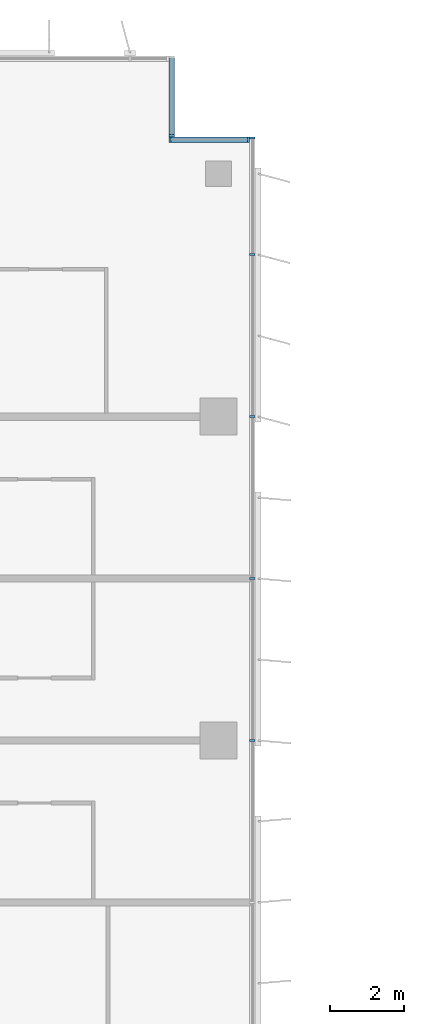
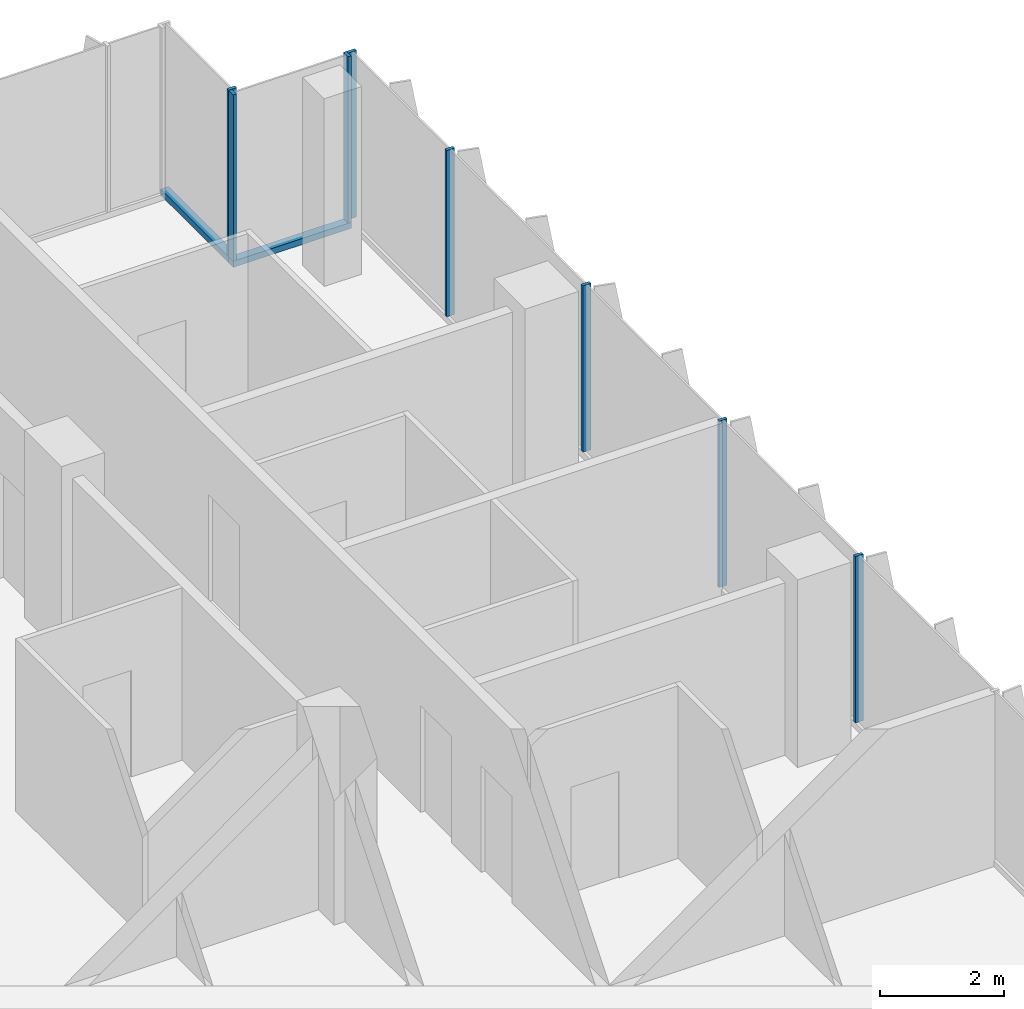
# One storey, part 7 of 21: 10 members, 3 elements without a shape of their own.
"""IFC4 building model written with IfcOpenShell, lengths in metres."""

import ifcopenshell
import ifcopenshell.guid

model = None  # the IFC model being written
_history = None  # IfcOwnerHistory: only IFC2X3 demands one
_inside = {}  # id of a spatial element -> (the spatial element, [elements in it])
_under = {}  # id of a project, library or spatial element -> (it, [spatial elements below it])
_declared = {}  # id of a project -> (the project, [libraries it declares])
_typed = {}  # id of a type object -> (the type object, [elements of that type])
_made_of = {}  # id of a material, layer set ... -> (it, [elements and type objects made of it])


def new_model(schema):
    """Start an empty IFC model of exactly this schema.

    Asked for "IFC4X3", IfcOpenShell would pick the latest addendum, in which some entities
    have other attributes; the version numbers below select the first issue.
    IFC2X3 requires an IfcOwnerHistory on every rooted entity: one is made here for all.
    """
    global model, _history
    if schema == "IFC4X3":
        model = ifcopenshell.file(schema_version=(4, 3, 0, 0))
    else:
        model = ifcopenshell.file(schema=schema)
    _inside.clear()
    _under.clear()
    _declared.clear()
    _typed.clear()
    _made_of.clear()
    _history = None
    if model.schema == "IFC2X3":
        org = make("IfcOrganization", Name="unknown")
        user = make(
            "IfcPersonAndOrganization",
            ThePerson=make("IfcPerson", FamilyName="unknown"),
            TheOrganization=org,
        )
        app = make(
            "IfcApplication",
            ApplicationDeveloper=org,
            Version="unknown",
            ApplicationFullName="unknown",
            ApplicationIdentifier="unknown",
        )
        _history = make(
            "IfcOwnerHistory",
            OwningUser=user,
            OwningApplication=app,
            ChangeAction="ADDED",
            CreationDate=0,
        )
    return model


def make(cls, **values):
    """One entity of the class cls with the attributes given. An attribute that is None is left unset."""
    return model.create_entity(
        cls, **{name: value for name, value in values.items() if value is not None}
    )


def rooted(cls, **values):
    """An entity with a GlobalId (a new one), such as an element, a storey or a relation."""
    return make(cls, GlobalId=ifcopenshell.guid.new(), OwnerHistory=_history, **values)


def si_unit(unit_type, name, prefix=None):
    """IfcSIUnit, for example si_unit("LENGTHUNIT", "METRE", prefix="MILLI")."""
    return make("IfcSIUnit", UnitType=unit_type, Prefix=prefix, Name=name)


def assignment(units):
    """IfcUnitAssignment: the units of a project."""
    return None if units is None else make("IfcUnitAssignment", Units=units)


def point(xyz):
    """IfcCartesianPoint."""
    return None if xyz is None else make("IfcCartesianPoint", Coordinates=xyz)


def direction(xyz):
    """IfcDirection."""
    return None if xyz is None else make("IfcDirection", DirectionRatios=xyz)


def frame(location, z_axis=None, x_axis=None):
    """IfcAxis2Placement3D, a coordinate frame: its origin and axes. An axis left out is left unset."""
    return make(
        "IfcAxis2Placement3D",
        Location=point(location),
        Axis=direction(z_axis),
        RefDirection=direction(x_axis),
    )


def frame_2d(location, x_axis=None):
    """IfcAxis2Placement2D, a coordinate frame in the plane: its origin and x axis."""
    return make(
        "IfcAxis2Placement2D", Location=point(location), RefDirection=direction(x_axis)
    )


def origin():
    """The frame at (0, 0, 0) with its axes left unset."""
    return frame((0.0, 0.0, 0.0))


def origin_2d():
    """The frame at (0, 0) in the plane with its x axis left unset."""
    return frame_2d((0.0, 0.0))


def place(relative_to, where):
    """IfcLocalPlacement: puts the frame where relative to a parent placement (None: the world)."""
    return make(
        "IfcLocalPlacement", PlacementRelTo=relative_to, RelativePlacement=where
    )


def context(
    kind, dimensions, precision=None, world=None, true_north=None, identifier=None
):
    """IfcGeometricRepresentationContext, for example the 3D "Model" context."""
    return make(
        "IfcGeometricRepresentationContext",
        ContextIdentifier=identifier,
        ContextType=kind,
        CoordinateSpaceDimension=dimensions,
        Precision=precision,
        WorldCoordinateSystem=world,
        TrueNorth=true_north,
    )


def subcontext(parent, identifier, kind, view, scale=None):
    """IfcGeometricRepresentationSubContext, for example "Body" below "Model"."""
    return make(
        "IfcGeometricRepresentationSubContext",
        ContextIdentifier=identifier,
        ContextType=kind,
        ParentContext=parent,
        TargetScale=scale,
        TargetView=view,
    )


def project(units=None, contexts=None):
    """IfcProject with its units and contexts."""
    return rooted(
        "IfcProject",
        Name="project",
        RepresentationContexts=contexts,
        UnitsInContext=assignment(units),
    )


def spatial(cls, under=None, at=None, **own):
    """A site, building, storey or space (cls), placed at a placement, below another one or the project."""
    s = rooted(cls, ObjectPlacement=at, **own)
    if under is not None:
        _under.setdefault(under.id(), (under, []))[1].append(s)
    return s


def profile(cls, at=None, kind="AREA", **sizes):
    """A parametric profile (cls). Its sizes go by their IFC names, for example OverallWidth=200.0."""
    return make(cls, ProfileType=kind, Position=at, **sizes)


def rectangle(**sizes):
    """IfcRectangleProfileDef."""
    return profile("IfcRectangleProfileDef", **sizes)


def extrude(swept, where, along, depth):
    """IfcExtrudedAreaSolid: the profile swept, set in the frame where, extruded along a direction by depth."""
    return make(
        "IfcExtrudedAreaSolid",
        SweptArea=swept,
        Position=where,
        ExtrudedDirection=direction(along),
        Depth=depth,
    )


def shape(context_of_items, identifier, shape_type, items):
    """IfcShapeRepresentation: the items that make up one representation, for example the "Body"."""
    return make(
        "IfcShapeRepresentation",
        ContextOfItems=context_of_items,
        RepresentationIdentifier=identifier,
        RepresentationType=shape_type,
        Items=items,
    )


def source(mapping_origin, context_of_items, identifier, shape_type, items):
    """IfcRepresentationMap: a shape defined once, which mapped items show again and again."""
    return make(
        "IfcRepresentationMap",
        MappingOrigin=mapping_origin,
        MappedRepresentation=shape(context_of_items, identifier, shape_type, items),
    )


def transform(
    local_origin,
    x_axis=None,
    y_axis=None,
    z_axis=None,
    scale=None,
    scale2=None,
    scale3=None,
    uniform=True,
):
    """IfcCartesianTransformationOperator3D, or its non-uniform kind. x_axis, y_axis, z_axis: its Axis1, 2, 3."""
    if uniform:
        return make(
            "IfcCartesianTransformationOperator3D",
            Axis1=direction(x_axis),
            Axis2=direction(y_axis),
            LocalOrigin=point(local_origin),
            Scale=scale,
            Axis3=direction(z_axis),
        )
    return make(
        "IfcCartesianTransformationOperator3DnonUniform",
        Axis1=direction(x_axis),
        Axis2=direction(y_axis),
        LocalOrigin=point(local_origin),
        Scale=scale,
        Axis3=direction(z_axis),
        Scale2=scale2,
        Scale3=scale3,
    )


def mapped(mapping_source, mapping_target):
    """IfcMappedItem: shows the shape of a source again, moved by a transform."""
    return make(
        "IfcMappedItem", MappingSource=mapping_source, MappingTarget=mapping_target
    )


def material(Name=None, Category=None):
    """IfcMaterial."""
    return make("IfcMaterial", Name=Name, Category=Category)


def material_profile(
    of_material, cross_section, Name=None, Category=None, Priority=None
):
    """IfcMaterialProfile: a cross section and its material."""
    return make(
        "IfcMaterialProfile",
        Name=Name,
        Material=of_material,
        Profile=cross_section,
        Priority=Priority,
        Category=Category,
    )


def profile_set(profiles, Name=None, composite=None):
    """IfcMaterialProfileSet."""
    return make(
        "IfcMaterialProfileSet",
        Name=Name,
        MaterialProfiles=profiles,
        CompositeProfile=composite,
    )


def made_of(thing, what):
    """Note that an element or type object is made of a material, layer set ...; save() writes the relation."""
    if what is not None:
        _made_of.setdefault(what.id(), (what, []))[1].append(thing)
    return thing


def type_object(cls, material=None, **own):
    """A type object (cls), such as IfcWallType, which elements share."""
    return made_of(rooted(cls, **own), material)


def element(
    cls,
    number,
    at=None,
    inside=None,
    cuts=None,
    type_object=None,
    material=None,
    context=None,
    identifier="Body",
    shape_type=None,
    held_by="IfcProductDefinitionShape",
    body=None,
    shapes=None,
    **own,
):
    """One element of the class cls, such as IfcWall. Its Tag is "e" and its number.

    at: its placement. inside: the storey or other place that contains it. cuts: it is an
    opening in that element (IfcRelVoidsElement). A single representation is given by context,
    identifier, shape_type and body (its items); several are given by shapes. held_by: the class
    of the entity that holds the representations. save() writes the other relations.
    """
    e = rooted(cls, Tag="e%d" % number, ObjectPlacement=at, **own)
    if body is not None:
        shapes = [shape(context, identifier, shape_type, body)]
    if shapes is not None:
        e.Representation = make(held_by, Representations=shapes)
    if inside is not None:
        _inside.setdefault(inside.id(), (inside, []))[1].append(e)
    if cuts is not None:
        rooted(
            "IfcRelVoidsElement", RelatingBuildingElement=cuts, RelatedOpeningElement=e
        )
    if type_object is not None:
        _typed.setdefault(type_object.id(), (type_object, []))[1].append(e)
    return made_of(e, material)


def aggregate(whole, parts):
    """IfcRelAggregates: a whole, such as a stair, and the parts it consists of."""
    return rooted("IfcRelAggregates", RelatingObject=whole, RelatedObjects=parts)


def save(model, path):
    """Write the relations noted so far, then the file.

    IfcRelAggregates (storeys below a building ...), IfcRelContainedInSpatialStructure (elements
    in a storey), IfcRelDefinesByType, IfcRelAssociatesMaterial and IfcRelDeclares: one each for
    every whole, place, type object, material and project.
    """
    for whole, parts in _under.values():
        aggregate(whole, parts)
    for where, things in _inside.values():
        rooted(
            "IfcRelContainedInSpatialStructure",
            RelatedElements=things,
            RelatingStructure=where,
        )
    for kind, things in _typed.values():
        rooted("IfcRelDefinesByType", RelatedObjects=things, RelatingType=kind)
    for what, things in _made_of.values():
        rooted("IfcRelAssociatesMaterial", RelatedObjects=things, RelatingMaterial=what)
    for by, libraries in _declared.values():
        rooted("IfcRelDeclares", RelatingContext=by, RelatedDefinitions=libraries)
    model.write(path)


model = new_model("IFC4")

# Units and contexts
model_context = context("Model", 3, precision=1e-05, world=origin(), true_north=direction((0.0, 1.0)))
body_context = subcontext(model_context, "Body", "Model", "MODEL_VIEW")
ifc_project = project(units=[si_unit("LENGTHUNIT", "METRE"), si_unit("AREAUNIT", "SQUARE_METRE"), si_unit("VOLUMEUNIT", "CUBIC_METRE"), si_unit("PLANEANGLEUNIT", "RADIAN"), si_unit("MASSUNIT", "GRAM", prefix="KILO")], contexts=[model_context])

# Site, building, storey
site_placement = place(None, origin())
site = spatial("IfcSite", under=ifc_project, at=site_placement, CompositionType="ELEMENT")
building_placement = place(site_placement, origin())
building = spatial("IfcBuilding", under=site, at=building_placement, Name="Kemantara Hotel Tower", CompositionType="ELEMENT")
storey_placement = place(building_placement, frame((0.0, 0.0, 164.199951171875)))
storey = spatial("IfcBuildingStorey", under=building, at=storey_placement, Name="L40", CompositionType="ELEMENT", Elevation=164.199951171875)

# Curtain wall, member
ifc_material_1 = material(Name="Low-E tinted double insulated glass 36 mm", Category="glass")
curtain_wall_type = type_object("IfcCurtainWallType", Name="TOWER CURTAIN WALL, FRONT FACES", PredefinedType="USERDEFINED", material=ifc_material_1)
curtain_wall_1_placement = place(storey_placement, origin())
curtain_wall_1 = element("IfcCurtainWall", 1, at=curtain_wall_1_placement, inside=storey, type_object=curtain_wall_type, Name="CW4 L40 T3-R00-1", ObjectType="TOWER CURTAIN WALL, FRONT FACES", PredefinedType="USERDEFINED")
ifc_material_2 = material(Name="Aluminium 6063-T6 bronze anodised", Category="aluminium")
ifc_material_profile_1 = material_profile(ifc_material_2, rectangle(XDim=0.14990234375, YDim=0.1201171875, at=origin_2d()), Name="TOWER CURTAIN WALL, FRONT FACES TRANSOM")
ifc_profile_set_1 = profile_set([ifc_material_profile_1], Name="Aluminium 6063-T6 bronze anodised")
member_type_1 = type_object("IfcMemberType", Name="TOWER CURTAIN WALL, FRONT FACES TRANSOM", PredefinedType="USERDEFINED", material=ifc_profile_set_1)
member_1_placement = place(storey_placement, frame((21.85009765625, 61.324951171875, 0.06005859375), z_axis=(-1.0, 0.0, 0.0), x_axis=(0.0, -1.0, 0.0)))
member_1 = element("IfcMember", 2, at=member_1_placement, type_object=member_type_1, Name="CW4 sill transom T3-R00-1", ObjectType="TRANSOM", PredefinedType="USERDEFINED", context=body_context, shape_type="SweptSolid", body=[
    extrude(rectangle(XDim=0.14990234375, YDim=0.1201171875, at=origin_2d()), origin(), (0.0, 0.0, 1.0), 2.2001953125),
])

curtain_wall_2_placement = place(storey_placement, origin())
curtain_wall_2 = element("IfcCurtainWall", 3, at=curtain_wall_2_placement, inside=storey, type_object=curtain_wall_type, Name="CW4 L40 T3-R01-1", ObjectType="TOWER CURTAIN WALL, FRONT FACES", PredefinedType="USERDEFINED")
member_2_placement = place(storey_placement, frame((19.72509765625, 61.39990234375, 0.06005859375), z_axis=(0.0, 1.0, 0.0), x_axis=(-1.0, 0.0, 0.0)))
member_2 = element("IfcMember", 4, at=member_2_placement, type_object=member_type_1, Name="CW4 sill transom T3-R01-1", ObjectType="TRANSOM", PredefinedType="USERDEFINED", context=body_context, shape_type="SweptSolid", body=[
    extrude(rectangle(XDim=0.14990234375, YDim=0.1201171875, at=origin_2d()), origin(), (0.0, 0.0, 1.0), 2.2001953125),
])

# Curtain wall, members
curtain_wall_3_placement = place(storey_placement, origin())
curtain_wall_3 = element("IfcCurtainWall", 5, at=curtain_wall_3_placement, inside=storey, type_object=curtain_wall_type, Name="CW4 L40 T3-R17-1", ObjectType="TOWER CURTAIN WALL, FRONT FACES", PredefinedType="USERDEFINED")
ifc_material_profile_2 = material_profile(ifc_material_2, rectangle(XDim=0.14990234375, YDim=0.06005859375, at=origin_2d()), Name="TOWER CURTAIN WALL, FRONT FACES MULLION")
ifc_profile_set_2 = profile_set([ifc_material_profile_2], Name="Aluminium 6063-T6 bronze anodised")
member_type_2 = type_object("IfcMemberType", Name="TOWER CURTAIN WALL, FRONT FACES MULLION", PredefinedType="MULLION", material=ifc_profile_set_2)
shared_shape = source(origin(), body_context, "Body", "SweptSolid", [
    extrude(rectangle(XDim=0.14990234375, YDim=0.06005859375, at=origin_2d()), origin(), (0.0, 0.0, 1.0), 3.280029296875),
])
member_3_placement = place(storey_placement, frame((21.925048828125, 45.0, 0.1201171875), z_axis=(0.0, 0.0, 1.0), x_axis=(-1.0, 0.0, 0.0)))
member_3 = element("IfcMember", 6, at=member_3_placement, type_object=member_type_2, Name="CW4 mullion T3-R17-1.6", PredefinedType="MULLION", context=body_context, shape_type="MappedRepresentation", body=[
    mapped(shared_shape, transform((0.0, 0.0, 0.0))),
])
member_4_placement = place(storey_placement, frame((21.925048828125, 49.39990234375, 0.1201171875), z_axis=(0.0, 0.0, 1.0), x_axis=(-1.0, 0.0, 0.0)))
member_4 = element("IfcMember", 7, at=member_4_placement, type_object=member_type_2, Name="CW4 mullion T3-R17-1.7", PredefinedType="MULLION", context=body_context, shape_type="MappedRepresentation", body=[
    mapped(shared_shape, transform((0.0, 0.0, 0.0))),
])
member_5_placement = place(storey_placement, frame((21.925048828125, 53.800048828125, 0.1201171875), z_axis=(0.0, 0.0, 1.0), x_axis=(-1.0, 0.0, 0.0)))
member_5 = element("IfcMember", 8, at=member_5_placement, type_object=member_type_2, Name="CW4 mullion T3-R17-1.8", PredefinedType="MULLION", context=body_context, shape_type="MappedRepresentation", body=[
    mapped(shared_shape, transform((0.0, 0.0, 0.0))),
])
member_6_placement = place(storey_placement, frame((21.925048828125, 58.199951171875, 0.1201171875), z_axis=(0.0, 0.0, 1.0), x_axis=(-1.0, 0.0, 0.0)))
member_6 = element("IfcMember", 9, at=member_6_placement, type_object=member_type_2, Name="CW4 mullion T3-R17-1.9", PredefinedType="MULLION", context=body_context, shape_type="MappedRepresentation", body=[
    mapped(shared_shape, transform((0.0, 0.0, 0.0))),
])
member_7_placement = place(storey_placement, frame((21.925048828125, 61.3701171875, 0.1201171875), z_axis=(0.0, 0.0, 1.0), x_axis=(-1.0, 0.0, 0.0)))
member_7 = element("IfcMember", 10, at=member_7_placement, type_object=member_type_2, Name="CW4 mullion T3-R17-1.10", PredefinedType="MULLION", context=body_context, shape_type="MappedRepresentation", body=[
    mapped(shared_shape, transform((0.0, 0.0, 0.0))),
])
aggregate(curtain_wall_3, [member_3, member_4, member_5, member_6, member_7])

# Member
member_8_placement = place(storey_placement, frame((21.820068359375, 61.324951171875, 0.1201171875), z_axis=(0.0, 0.0, 1.0), x_axis=(0.0, -1.0, 0.0)))
member_8 = element("IfcMember", 11, at=member_8_placement, type_object=member_type_2, Name="CW4 mullion T3-R00-1.1", PredefinedType="MULLION", context=body_context, shape_type="MappedRepresentation", body=[
    mapped(shared_shape, transform((0.0, 0.0, 0.0))),
])

member_9_placement = place(storey_placement, frame((19.679931640625, 61.324951171875, 0.1201171875), z_axis=(0.0, 0.0, 1.0), x_axis=(0.0, -1.0, 0.0)))
member_9 = element("IfcMember", 12, at=member_9_placement, type_object=member_type_2, Name="CW4 mullion T3-R00-1.2", PredefinedType="MULLION", context=body_context, shape_type="MappedRepresentation", body=[
    mapped(shared_shape, transform((0.0, 0.0, 0.0))),
])

aggregate(curtain_wall_1, [member_1, member_8, member_9])

member_10_placement = place(storey_placement, frame((19.72509765625, 61.429931640625, 0.1201171875), z_axis=(0.0, 0.0, 1.0), x_axis=(-1.0, 0.0, 0.0)))
member_10 = element("IfcMember", 13, at=member_10_placement, type_object=member_type_2, Name="CW4 mullion T3-R01-1.1", PredefinedType="MULLION", context=body_context, shape_type="MappedRepresentation", body=[
    mapped(shared_shape, transform((0.0, 0.0, 0.0))),
])

aggregate(curtain_wall_2, [member_2, member_10])

save(model, "model.ifc")
